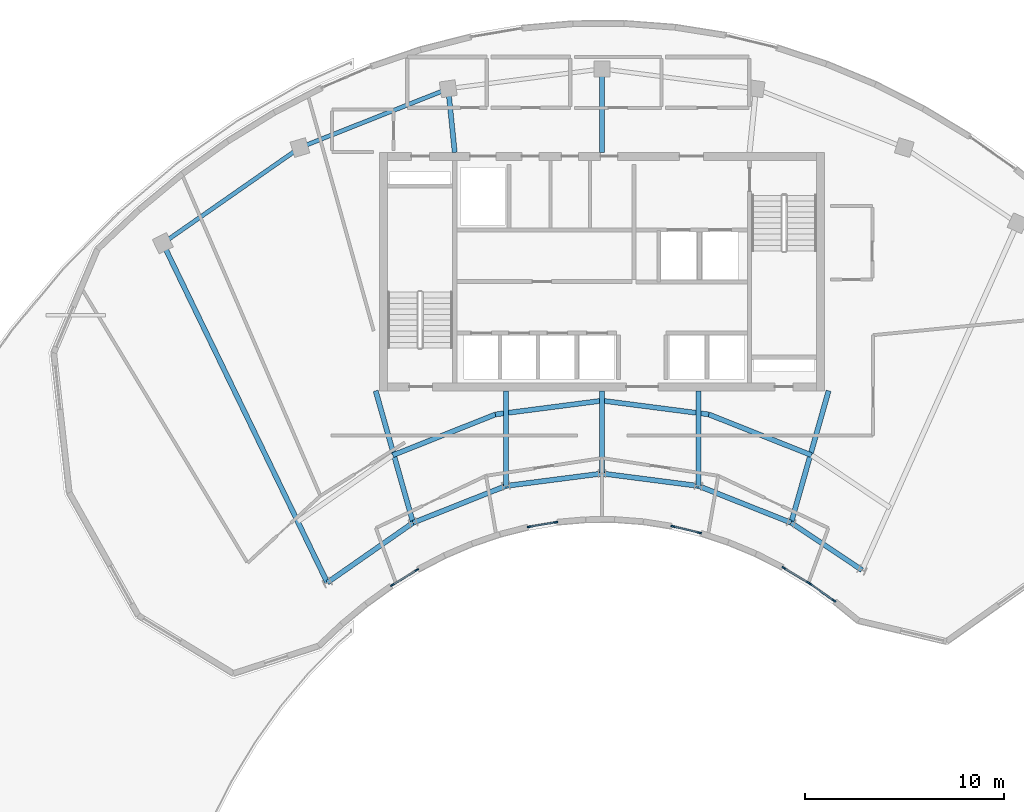
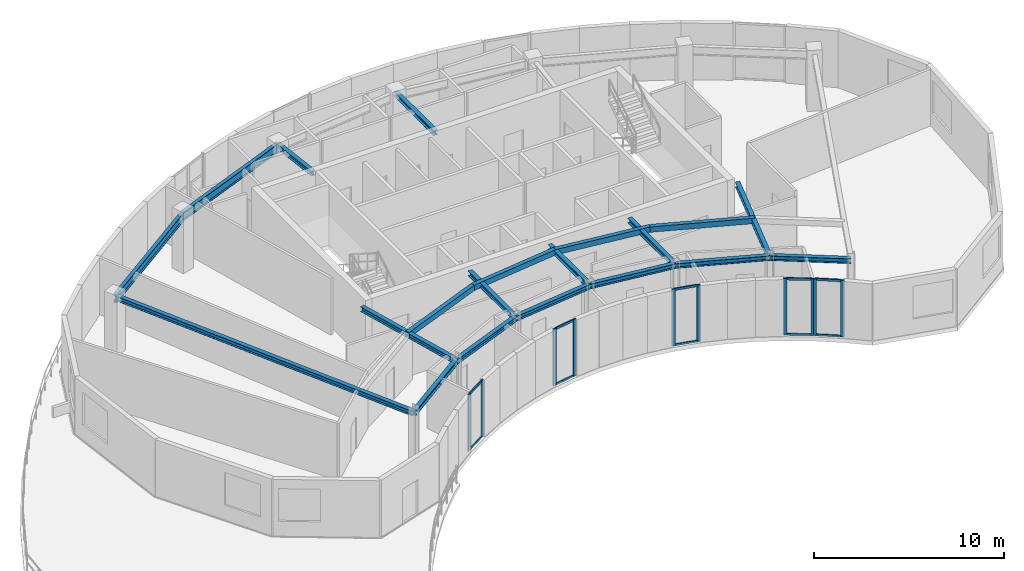
# One storey, part 2 of 11: 20 beams, 20 members, 5 elements without a shape of their own.
"""IFC4 building model written with IfcOpenShell, lengths in metres."""

from ifc_helpers import new_model, si_unit, direction, frame, origin, origin_2d, place, context, subcontext, project, spatial, rectangle, hollow_rectangle, i_section, extrude, source, transform, mapped, material, layer, layer_set, material_profile, profile_set, type_object, element, aggregate, save


model = new_model("IFC4")

# Units and contexts
model_context = context("Model", 3, precision=1e-05, world=origin(), true_north=direction((0.0, 1.0)))
body_context = subcontext(model_context, "Body", "Model", "MODEL_VIEW")
ifc_project = project(units=[si_unit("LENGTHUNIT", "METRE"), si_unit("AREAUNIT", "SQUARE_METRE"), si_unit("VOLUMEUNIT", "CUBIC_METRE"), si_unit("PLANEANGLEUNIT", "RADIAN"), si_unit("MASSUNIT", "GRAM", prefix="KILO")], contexts=[model_context])

# Site, building, storey
site_placement = place(None, origin())
site = spatial("IfcSite", under=ifc_project, at=site_placement, CompositionType="ELEMENT")
building_placement = place(site_placement, origin())
building = spatial("IfcBuilding", under=site, at=building_placement, Name="Breltana Convention Tower", CompositionType="ELEMENT")
storey_placement = place(building_placement, frame((0.0, 0.0, 275.699951171875)))
storey = spatial("IfcBuildingStorey", under=building, at=storey_placement, Name="L67", CompositionType="ELEMENT", Elevation=275.699951171875)

# Beams
ifc_material_1 = material(Name="Steel ASTM A992 Grade 50", Category="steel")
ifc_material_profile_1 = material_profile(ifc_material_1, i_section(OverallWidth=0.214111328125, OverallDepth=0.549072265625, WebThickness=0.0146484375, FlangeThickness=0.023681640625, at=origin_2d()), Name="W21X93")
ifc_profile_set_1 = profile_set([ifc_material_profile_1], Name="Steel ASTM A992 Grade 50")
beam_type_1 = type_object("IfcBeamType", Name="BM-SP-W21X93", PredefinedType="SPANDREL", material=ifc_profile_set_1)
shared_shape_1 = source(origin(), body_context, "Body", "SweptSolid", [
    extrude(i_section(OverallWidth=0.214111328125, OverallDepth=0.549072265625, WebThickness=0.0146484375, FlangeThickness=0.023681640625, at=origin_2d()), origin(), (0.0, 0.0, 1.0), 8.4169921875),
])
beam_1_placement = place(storey_placement, frame((25.8876953125, 67.626953125, 3.365478515625), z_axis=(0.820173800102, 0.572114444519, 0.0), x_axis=(-0.572114444519, 0.820173800102, 0.0)))
element("IfcBeam", 1, at=beam_1_placement, inside=storey, type_object=beam_type_1, Name="L67 Outer Spandrel Beam 03", PredefinedType="SPANDREL", context=body_context, shape_type="MappedRepresentation", body=[
    mapped(shared_shape_1, transform((0.0, 0.0, 0.0), scale=1.0)),
])
shared_shape_2 = source(origin(), body_context, "Body", "SweptSolid", [
    extrude(i_section(OverallWidth=0.214111328125, OverallDepth=0.549072265625, WebThickness=0.0146484375, FlangeThickness=0.023681640625, at=origin_2d()), origin(), (0.0, 0.0, 1.0), 8.028564453125),
])
beam_2_placement = place(storey_placement, frame((32.791015625, 72.4423828125, 3.365478515625), z_axis=(0.929459100394, 0.368925169507, 0.0), x_axis=(-0.368925169507, 0.929459100394, 0.0)))
element("IfcBeam", 2, at=beam_2_placement, inside=storey, type_object=beam_type_1, Name="L67 Outer Spandrel Beam 04", PredefinedType="SPANDREL", context=body_context, shape_type="MappedRepresentation", body=[
    mapped(shared_shape_2, transform((0.0, 0.0, 0.0), scale=1.0)),
])
ifc_material_profile_2 = material_profile(ifc_material_1, i_section(OverallWidth=0.25390625, OverallDepth=0.305908203125, WebThickness=0.0087890625, FlangeThickness=0.0146484375, at=origin_2d()), Name="W12X53")
ifc_profile_set_2 = profile_set([ifc_material_profile_2], Name="Steel ASTM A992 Grade 50")
beam_type_2 = type_object("IfcBeamType", Name="BM-CN-W12X53", PredefinedType="BEAM", material=ifc_profile_set_2)
shared_shape_3 = source(origin(), body_context, "Body", "SweptSolid", [
    extrude(i_section(OverallWidth=0.25390625, OverallDepth=0.305908203125, WebThickness=0.0087890625, FlangeThickness=0.0146484375, at=origin_2d()), origin(), (0.0, 0.0, 1.0), 18.982421875),
])
beam_3_placement = place(storey_placement, frame((34.166259765625, 50.544921875, 3.487060546875), z_axis=(-0.436118560343, 0.89988921614, 0.0), x_axis=(-0.89988921614, -0.436118560343, 0.0)))
element("IfcBeam", 3, at=beam_3_placement, inside=storey, type_object=beam_type_2, Name="L67 Radial Floor Girder R03", PredefinedType="BEAM", context=body_context, shape_type="MappedRepresentation", body=[
    mapped(shared_shape_3, transform((0.0, 0.0, 0.0), scale=1.0)),
])
shared_shape_4 = source(origin(), body_context, "Body", "SweptSolid", [
    extrude(i_section(OverallWidth=0.25390625, OverallDepth=0.305908203125, WebThickness=0.0087890625, FlangeThickness=0.0146484375, at=origin_2d()), origin(), (0.0, 0.0, 1.0), 6.904541015625),
])
for number, where, z_axis, x_axis, name in (
    (4, (36.60009765625, 60.199951171875, 3.487060546875), (0.273006781054, -0.962012108811, 0.0), (0.962012108811, 0.273006781054, 0.0), "L67 South Core Tie Girder R04"),
    (5, (59.39990234375, 60.199951171875, 3.487060546875), (-0.273006781054, -0.962012108811, 0.0), (0.962012108811, -0.273006781054, 0.0), "L67 South Core Tie Girder R08"),
):
    element("IfcBeam", number, at=place(storey_placement, frame(where, z_axis=z_axis, x_axis=x_axis)), inside=storey, type_object=beam_type_2, Name=name, PredefinedType="BEAM", context=body_context, shape_type="MappedRepresentation", body=[
        mapped(shared_shape_4, transform((0.0, 0.0, 0.0), scale=1.0)),
    ])
shared_shape_5 = source(origin(), body_context, "Body", "SweptSolid", [
    extrude(i_section(OverallWidth=0.25390625, OverallDepth=0.305908203125, WebThickness=0.0087890625, FlangeThickness=0.0146484375, at=origin_2d()), origin(), (0.0, 0.0, 1.0), 4.789306640625),
])
for number, where, z_axis, x_axis, name in (
    (6, (43.153564453125, 60.199951171875, 3.487060546875), (0.0, -1.0, 0.0), (1.0, 0.0, 0.0), "L67 South Core Tie Girder R05"),
    (7, (52.846435546875, 60.199951171875, 3.487060546875), (0.0, -1.0, 0.0), (1.0, 0.0, 0.0), "L67 South Core Tie Girder R07"),
):
    element("IfcBeam", number, at=place(storey_placement, frame(where, z_axis=z_axis, x_axis=x_axis)), inside=storey, type_object=beam_type_2, Name=name, PredefinedType="BEAM", context=body_context, shape_type="MappedRepresentation", body=[
        mapped(shared_shape_5, transform((0.0, 0.0, 0.0), scale=1.0)),
    ])
shared_shape_6 = source(origin(), body_context, "Body", "SweptSolid", [
    extrude(i_section(OverallWidth=0.25390625, OverallDepth=0.305908203125, WebThickness=0.0087890625, FlangeThickness=0.0146484375, at=origin_2d()), origin(), (0.0, 0.0, 1.0), 3.220947265625),
])
beam_4_placement = place(storey_placement, frame((40.580078125, 72.199951171875, 3.487060546875), z_axis=(-0.101492254858, 0.994836329355, 0.0), x_axis=(-0.994836329355, -0.101492254858, 0.0)))
element("IfcBeam", 8, at=beam_4_placement, inside=storey, type_object=beam_type_2, Name="L67 North Core Radial Girder R05", PredefinedType="BEAM", context=body_context, shape_type="MappedRepresentation", body=[
    mapped(shared_shape_6, transform((0.0, 0.0, 0.0), scale=1.0)),
])
shared_shape_7 = source(origin(), body_context, "Body", "SweptSolid", [
    extrude(i_section(OverallWidth=0.25390625, OverallDepth=0.305908203125, WebThickness=0.0087890625, FlangeThickness=0.0146484375, at=origin_2d()), origin(), (0.0, 0.0, 1.0), 4.1640625),
])
beam_5_placement = place(storey_placement, frame((48.0, 60.199951171875, 3.487060546875), z_axis=(0.0, -1.0, 0.0), x_axis=(1.0, 0.0, 0.0)))
element("IfcBeam", 9, at=beam_5_placement, inside=storey, type_object=beam_type_2, Name="L67 South Core Tie Girder R06", PredefinedType="BEAM", context=body_context, shape_type="MappedRepresentation", body=[
    mapped(shared_shape_7, transform((0.0, 0.0, 0.0), scale=1.0)),
])
shared_shape_8 = source(origin(), body_context, "Body", "SweptSolid", [
    extrude(i_section(OverallWidth=0.25390625, OverallDepth=0.305908203125, WebThickness=0.0087890625, FlangeThickness=0.0146484375, at=origin_2d()), origin(), (0.0, 0.0, 1.0), 4.2041015625),
])
beam_6_placement = place(storey_placement, frame((48.0, 72.199951171875, 3.487060546875), z_axis=(0.0, 1.0, 0.0), x_axis=(-1.0, 0.0, 0.0)))
element("IfcBeam", 10, at=beam_6_placement, inside=storey, type_object=beam_type_2, Name="L67 North Core Radial Girder R06", PredefinedType="BEAM", context=body_context, shape_type="MappedRepresentation", body=[
    mapped(shared_shape_8, transform((0.0, 0.0, 0.0), scale=1.0)),
])
shared_shape_9 = source(origin(), body_context, "Body", "SweptSolid", [
    extrude(i_section(OverallWidth=0.25390625, OverallDepth=0.305908203125, WebThickness=0.0087890625, FlangeThickness=0.0146484375, at=origin_2d()), origin(), (0.0, 0.0, 1.0), 5.265869140625),
])
beam_7_placement = place(storey_placement, frame((34.166259765625, 50.544921875, 3.487060546875), z_axis=(0.820167429517, 0.572123577176, 0.0), x_axis=(-0.572123577176, 0.820167429517, 0.0)))
element("IfcBeam", 11, at=beam_7_placement, inside=storey, type_object=beam_type_2, Name="L67 Inner Ring Beam 03", PredefinedType="BEAM", context=body_context, shape_type="MappedRepresentation", body=[
    mapped(shared_shape_9, transform((0.0, 0.0, 0.0), scale=1.0)),
])
shared_shape_10 = source(origin(), body_context, "Body", "SweptSolid", [
    extrude(i_section(OverallWidth=0.25390625, OverallDepth=0.305908203125, WebThickness=0.0087890625, FlangeThickness=0.0146484375, at=origin_2d()), origin(), (0.0, 0.0, 1.0), 5.022705078125),
])
for number, where, z_axis, x_axis, name in (
    (12, (38.485107421875, 53.5576171875, 3.487060546875), (0.929458966248, 0.368925507469, 0.0), (-0.368925507469, 0.929458966248, 0.0), "L67 Inner Ring Beam 04"),
    (13, (52.846435546875, 55.41064453125, 3.487060546875), (0.929458966248, -0.368925507469, 0.0), (0.368925507469, 0.929458966248, 0.0), "L67 Inner Ring Beam 07"),
):
    element("IfcBeam", number, at=place(storey_placement, frame(where, z_axis=z_axis, x_axis=x_axis)), inside=storey, type_object=beam_type_2, Name=name, PredefinedType="BEAM", context=body_context, shape_type="MappedRepresentation", body=[
        mapped(shared_shape_10, transform((0.0, 0.0, 0.0), scale=1.0)),
    ])
shared_shape_11 = source(origin(), body_context, "Body", "SweptSolid", [
    extrude(i_section(OverallWidth=0.25390625, OverallDepth=0.305908203125, WebThickness=0.0087890625, FlangeThickness=0.0146484375, at=origin_2d()), origin(), (0.0, 0.0, 1.0), 4.88671875),
])
for number, where, z_axis, x_axis, name in (
    (14, (43.153564453125, 55.41064453125, 3.487060546875), (0.991780525565, 0.127950729231, 0.0), (-0.127950729231, 0.991780525565, 0.0), "L67 Inner Ring Beam 05"),
    (15, (48.0, 56.035888671875, 3.487060546875), (0.991780525565, -0.127950729231, 0.0), (0.127950729231, 0.991780525565, 0.0), "L67 Inner Ring Beam 06"),
):
    element("IfcBeam", number, at=place(storey_placement, frame(where, z_axis=z_axis, x_axis=x_axis)), inside=storey, type_object=beam_type_2, Name=name, PredefinedType="BEAM", context=body_context, shape_type="MappedRepresentation", body=[
        mapped(shared_shape_11, transform((0.0, 0.0, 0.0), scale=1.0)),
    ])
shared_shape_12 = source(origin(), body_context, "Body", "SweptSolid", [
    extrude(i_section(OverallWidth=0.25390625, OverallDepth=0.305908203125, WebThickness=0.0087890625, FlangeThickness=0.0146484375, at=origin_2d()), origin(), (0.0, 0.0, 1.0), 4.2900390625),
])
beam_8_placement = place(storey_placement, frame((57.514892578125, 53.5576171875, 3.487060546875), z_axis=(0.831515827753, -0.555501060482, 0.0), x_axis=(0.555501060482, 0.831515827753, 0.0)))
element("IfcBeam", 16, at=beam_8_placement, inside=storey, type_object=beam_type_2, Name="L67 Inner Ring Beam 08", PredefinedType="BEAM", context=body_context, shape_type="MappedRepresentation", body=[
    mapped(shared_shape_12, transform((0.0, 0.0, 0.0), scale=1.0)),
])
ifc_material_profile_3 = material_profile(ifc_material_1, hollow_rectangle(XDim=0.25, YDim=0.35009765625, WallThickness=0.011962890625, at=origin_2d()), Name="RHS350X250X12")
ifc_profile_set_3 = profile_set([ifc_material_profile_3], Name="Steel ASTM A992 Grade 50")
beam_type_3 = type_object("IfcBeamType", Name="BM-JSG-12", PredefinedType="JOIST", material=ifc_profile_set_3)
shared_shape_13 = source(origin(), body_context, "Body", "SweptSolid", [
    extrude(hollow_rectangle(XDim=0.25, YDim=0.35009765625, WallThickness=0.011962890625, at=origin_2d()), origin(), (0.0, 0.0, 1.0), 5.563720703125),
])
for number, where, z_axis, x_axis, name in (
    (17, (37.460205078125, 56.956787109375, 3.465087890625), (0.929447960386, 0.368953234074, 0.0), (-0.368953234074, 0.929447960386, 0.0), "L67 Composite Floor Joist 04.1"),
    (18, (53.36865234375, 59.009521484375, 3.465087890625), (0.929447960386, -0.368953234074, 0.0), (0.368953234074, 0.929447960386, 0.0), "L67 Composite Floor Joist 07.1"),
):
    element("IfcBeam", number, at=place(storey_placement, frame(where, z_axis=z_axis, x_axis=x_axis)), inside=storey, type_object=beam_type_3, Name=name, PredefinedType="JOIST", context=body_context, shape_type="MappedRepresentation", body=[
        mapped(shared_shape_13, transform((0.0, 0.0, 0.0), scale=1.0)),
    ])
shared_shape_14 = source(origin(), body_context, "Body", "SweptSolid", [
    extrude(hollow_rectangle(XDim=0.25, YDim=0.35009765625, WallThickness=0.011962890625, at=origin_2d()), origin(), (0.0, 0.0, 1.0), 5.4130859375),
])
for number, where, z_axis, x_axis, name in (
    (19, (42.63134765625, 59.009521484375, 3.465087890625), (0.991780266945, 0.127952733848, 0.0), (-0.127952733848, 0.991780266945, 0.0), "L67 Composite Floor Joist 05.1"),
    (20, (48.0, 59.7021484375, 3.465087890625), (0.991780266945, -0.127952733848, 0.0), (0.127952733848, 0.991780266945, 0.0), "L67 Composite Floor Joist 06.1"),
):
    element("IfcBeam", number, at=place(storey_placement, frame(where, z_axis=z_axis, x_axis=x_axis)), inside=storey, type_object=beam_type_3, Name=name, PredefinedType="JOIST", context=body_context, shape_type="MappedRepresentation", body=[
        mapped(shared_shape_14, transform((0.0, 0.0, 0.0), scale=1.0)),
    ])

# Curtain wall, members
ifc_material_2 = material(Name="Aluminium Anodised Bronze Frame", Category="aluminium")
ifc_layer = layer(ifc_material_2, 0.18994140625, Name="Aluminium Anodised Bronze Frame")
ifc_layer_set = layer_set([ifc_layer], Name="Aluminium Anodised Bronze Frame")
curtain_wall_type = type_object("IfcCurtainWallType", Name="CW-SYS-1", PredefinedType="NOTDEFINED", material=ifc_layer_set)
curtain_wall_1_placement = place(storey_placement, origin())
curtain_wall_1 = element("IfcCurtainWall", 21, at=curtain_wall_1_placement, inside=storey, type_object=curtain_wall_type, Name="L67 inner south-court glazing 1", PredefinedType="NOTDEFINED")
ifc_material_3 = material(Name="Aluminium Anodised Bronze", Category="aluminium")
ifc_material_profile_4 = material_profile(ifc_material_3, rectangle(XDim=0.080078125, YDim=0.199951171875, at=origin_2d()), Name="CWM-80X200")
ifc_profile_set_4 = profile_set([ifc_material_profile_4], Name="Aluminium Anodised Bronze")
member_type_1 = type_object("IfcMemberType", Name="CWM-200", PredefinedType="MULLION", material=ifc_profile_set_4)
shared_shape_15 = source(origin(), body_context, "Body", "SweptSolid", [
    extrude(rectangle(XDim=0.080078125, YDim=0.199951171875, at=origin_2d()), origin(), (0.0, 0.0, 1.0), 3.64013671875),
])
member_1_placement = place(storey_placement, frame((59.667724609375, 49.635986328125, 0.0), z_axis=(0.0, 0.0, 1.0), x_axis=(-0.576173895534, -0.817327132857, 0.0)))
member_1 = element("IfcMember", 22, at=member_1_placement, type_object=member_type_1, Name="CW-01 mullion 1", PredefinedType="MULLION", context=body_context, shape_type="MappedRepresentation", body=[
    mapped(shared_shape_15, transform((0.0, 0.0, 0.0), scale=1.0)),
])
member_2_placement = place(storey_placement, frame((58.4599609375, 50.4873046875, 0.0), z_axis=(0.0, 0.0, 1.0), x_axis=(-0.576173895534, -0.817327132857, 0.0)))
member_2 = element("IfcMember", 23, at=member_2_placement, type_object=member_type_1, Name="CW-01 mullion 2", PredefinedType="MULLION", context=body_context, shape_type="MappedRepresentation", body=[
    mapped(shared_shape_15, transform((0.0, 0.0, 0.0), scale=1.0)),
])

curtain_wall_2_placement = place(storey_placement, origin())
curtain_wall_2 = element("IfcCurtainWall", 24, at=curtain_wall_2_placement, inside=storey, type_object=curtain_wall_type, Name="L67 inner south-court glazing 2", PredefinedType="NOTDEFINED")
member_3_placement = place(storey_placement, frame((58.38232421875, 50.5380859375, 0.0), z_axis=(0.0, 0.0, 1.0), x_axis=(-0.516826673654, -0.856090059164, 0.0)))
member_3 = element("IfcMember", 25, at=member_3_placement, type_object=member_type_1, Name="CW-01 mullion 1", PredefinedType="MULLION", context=body_context, shape_type="MappedRepresentation", body=[
    mapped(shared_shape_15, transform((0.0, 0.0, 0.0), scale=1.0)),
])
member_4_placement = place(storey_placement, frame((57.139404296875, 51.288330078125, 0.0), z_axis=(0.0, 0.0, 1.0), x_axis=(-0.516826673654, -0.856090059164, 0.0)))
member_4 = element("IfcMember", 26, at=member_4_placement, type_object=member_type_1, Name="CW-01 mullion 2", PredefinedType="MULLION", context=body_context, shape_type="MappedRepresentation", body=[
    mapped(shared_shape_15, transform((0.0, 0.0, 0.0), scale=1.0)),
])

curtain_wall_3_placement = place(storey_placement, origin())
curtain_wall_3 = element("IfcCurtainWall", 27, at=curtain_wall_3_placement, inside=storey, type_object=curtain_wall_type, Name="L67 inner south-court glazing 3", PredefinedType="NOTDEFINED")
member_5_placement = place(storey_placement, frame((52.89990234375, 53.0517578125, 0.0), z_axis=(0.0, 0.0, 1.0), x_axis=(-0.235517485062, -0.97187011181, 0.0)))
member_5 = element("IfcMember", 28, at=member_5_placement, type_object=member_type_1, Name="CW-01 mullion 1", PredefinedType="MULLION", context=body_context, shape_type="MappedRepresentation", body=[
    mapped(shared_shape_15, transform((0.0, 0.0, 0.0), scale=1.0)),
])
member_6_placement = place(storey_placement, frame((51.562255859375, 53.3759765625, 0.0), z_axis=(0.0, 0.0, 1.0), x_axis=(-0.235517485062, -0.97187011181, 0.0)))
member_6 = element("IfcMember", 29, at=member_6_placement, type_object=member_type_1, Name="CW-01 mullion 2", PredefinedType="MULLION", context=body_context, shape_type="MappedRepresentation", body=[
    mapped(shared_shape_15, transform((0.0, 0.0, 0.0), scale=1.0)),
])

curtain_wall_4_placement = place(storey_placement, origin())
curtain_wall_4 = element("IfcCurtainWall", 30, at=curtain_wall_4_placement, inside=storey, type_object=curtain_wall_type, Name="L67 inner south-court glazing 4", PredefinedType="NOTDEFINED")
member_7_placement = place(storey_placement, frame((45.673095703125, 53.582275390625, 0.0), z_axis=(0.0, 0.0, 1.0), x_axis=(0.168027922521, -0.985782236223, 0.0)))
member_7 = element("IfcMember", 31, at=member_7_placement, type_object=member_type_1, Name="CW-01 mullion 1", PredefinedType="MULLION", context=body_context, shape_type="MappedRepresentation", body=[
    mapped(shared_shape_15, transform((0.0, 0.0, 0.0), scale=1.0)),
])
member_8_placement = place(storey_placement, frame((44.3251953125, 53.3525390625, 0.0), z_axis=(0.0, 0.0, 1.0), x_axis=(0.168027922521, -0.985782236223, 0.0)))
member_8 = element("IfcMember", 32, at=member_8_placement, type_object=member_type_1, Name="CW-01 mullion 2", PredefinedType="MULLION", context=body_context, shape_type="MappedRepresentation", body=[
    mapped(shared_shape_15, transform((0.0, 0.0, 0.0), scale=1.0)),
])

curtain_wall_5_placement = place(storey_placement, origin())
curtain_wall_5 = element("IfcCurtainWall", 33, at=curtain_wall_5_placement, inside=storey, type_object=curtain_wall_type, Name="L67 inner south-court glazing 5", PredefinedType="NOTDEFINED")
member_9_placement = place(storey_placement, frame((38.669677734375, 51.180419921875, 0.0), z_axis=(0.0, 0.0, 1.0), x_axis=(0.525571911271, -0.850749179302, 0.0)))
member_9 = element("IfcMember", 34, at=member_9_placement, type_object=member_type_1, Name="CW-01 mullion 1", PredefinedType="MULLION", context=body_context, shape_type="MappedRepresentation", body=[
    mapped(shared_shape_15, transform((0.0, 0.0, 0.0), scale=1.0)),
])
member_10_placement = place(storey_placement, frame((37.431396484375, 50.41552734375, 0.0), z_axis=(0.0, 0.0, 1.0), x_axis=(0.525571911271, -0.850749179302, 0.0)))
member_10 = element("IfcMember", 35, at=member_10_placement, type_object=member_type_1, Name="CW-01 mullion 2", PredefinedType="MULLION", context=body_context, shape_type="MappedRepresentation", body=[
    mapped(shared_shape_15, transform((0.0, 0.0, 0.0), scale=1.0)),
])

# Member
ifc_material_profile_5 = material_profile(ifc_material_3, rectangle(XDim=0.080078125, YDim=0.139892578125, at=origin_2d()), Name="CWT-80X140")
ifc_profile_set_5 = profile_set([ifc_material_profile_5], Name="Aluminium Anodised Bronze")
member_type_2 = type_object("IfcMemberType", Name="CWT-140", PredefinedType="USERDEFINED", material=ifc_profile_set_5)
shared_shape_16 = source(origin(), body_context, "Body", "SweptSolid", [
    extrude(rectangle(XDim=0.080078125, YDim=0.139892578125, at=origin_2d()), origin(), (0.0, 0.0, 1.0), 1.3974609375),
])
member_11_placement = place(storey_placement, frame((59.635009765625, 49.658935546875, 0.0400390625), z_axis=(-0.817364650956, 0.576120670838, 0.0), x_axis=(-0.576120670838, -0.817364650956, 0.0)))
member_11 = element("IfcMember", 36, at=member_11_placement, type_object=member_type_2, Name="CW-01 transom 1.1", ObjectType="TRANSOM", PredefinedType="USERDEFINED", context=body_context, shape_type="MappedRepresentation", body=[
    mapped(shared_shape_16, transform((0.0, 0.0, 0.0), scale=1.0)),
])

member_12_placement = place(storey_placement, frame((59.635009765625, 49.658935546875, 3.60009765625), z_axis=(-0.817364650956, 0.576120670838, 0.0), x_axis=(-0.576120670838, -0.817364650956, 0.0)))
member_12 = element("IfcMember", 37, at=member_12_placement, type_object=member_type_2, Name="CW-01 transom 1.2", ObjectType="TRANSOM", PredefinedType="USERDEFINED", context=body_context, shape_type="MappedRepresentation", body=[
    mapped(shared_shape_16, transform((0.0, 0.0, 0.0), scale=1.0)),
])

aggregate(curtain_wall_1, [member_1, member_2, member_11, member_12])

shared_shape_17 = source(origin(), body_context, "Body", "SweptSolid", [
    extrude(rectangle(XDim=0.080078125, YDim=0.139892578125, at=origin_2d()), origin(), (0.0, 0.0, 1.0), 1.3720703125),
])
member_13_placement = place(storey_placement, frame((58.34814453125, 50.55859375, 0.0400390625), z_axis=(-0.856123865056, 0.516770672235, 0.0), x_axis=(-0.516770672235, -0.856123865056, 0.0)))
member_13 = element("IfcMember", 38, at=member_13_placement, type_object=member_type_2, Name="CW-01 transom 1.1", ObjectType="TRANSOM", PredefinedType="USERDEFINED", context=body_context, shape_type="MappedRepresentation", body=[
    mapped(shared_shape_17, transform((0.0, 0.0, 0.0), scale=1.0)),
])

member_14_placement = place(storey_placement, frame((58.34814453125, 50.55859375, 3.60009765625), z_axis=(-0.856123865056, 0.516770672235, 0.0), x_axis=(-0.516770672235, -0.856123865056, 0.0)))
member_14 = element("IfcMember", 39, at=member_14_placement, type_object=member_type_2, Name="CW-01 transom 1.2", ObjectType="TRANSOM", PredefinedType="USERDEFINED", context=body_context, shape_type="MappedRepresentation", body=[
    mapped(shared_shape_17, transform((0.0, 0.0, 0.0), scale=1.0)),
])

aggregate(curtain_wall_2, [member_3, member_4, member_13, member_14])

shared_shape_18 = source(origin(), body_context, "Body", "SweptSolid", [
    extrude(rectangle(XDim=0.080078125, YDim=0.139892578125, at=origin_2d()), origin(), (0.0, 0.0, 1.0), 1.296142578125),
])
member_15_placement = place(storey_placement, frame((52.86083984375, 53.06103515625, 0.0400390625), z_axis=(-0.97184618516, 0.235616197216, 0.0), x_axis=(-0.235616197216, -0.97184618516, 0.0)))
member_15 = element("IfcMember", 40, at=member_15_placement, type_object=member_type_2, Name="CW-01 transom 1.1", ObjectType="TRANSOM", PredefinedType="USERDEFINED", context=body_context, shape_type="MappedRepresentation", body=[
    mapped(shared_shape_18, transform((0.0, 0.0, 0.0), scale=1.0)),
])

member_16_placement = place(storey_placement, frame((52.86083984375, 53.06103515625, 3.60009765625), z_axis=(-0.97184618516, 0.235616197216, 0.0), x_axis=(-0.235616197216, -0.97184618516, 0.0)))
member_16 = element("IfcMember", 41, at=member_16_placement, type_object=member_type_2, Name="CW-01 transom 1.2", ObjectType="TRANSOM", PredefinedType="USERDEFINED", context=body_context, shape_type="MappedRepresentation", body=[
    mapped(shared_shape_18, transform((0.0, 0.0, 0.0), scale=1.0)),
])

aggregate(curtain_wall_3, [member_5, member_6, member_15, member_16])

shared_shape_19 = source(origin(), body_context, "Body", "SweptSolid", [
    extrude(rectangle(XDim=0.080078125, YDim=0.139892578125, at=origin_2d()), origin(), (0.0, 0.0, 1.0), 1.287353515625),
])
member_17_placement = place(storey_placement, frame((45.6337890625, 53.57568359375, 0.0400390625), z_axis=(-0.985782429966, -0.16802678587, 0.0), x_axis=(0.16802678587, -0.985782429966, 0.0)))
member_17 = element("IfcMember", 42, at=member_17_placement, type_object=member_type_2, Name="CW-01 transom 1.1", ObjectType="TRANSOM", PredefinedType="USERDEFINED", context=body_context, shape_type="MappedRepresentation", body=[
    mapped(shared_shape_19, transform((0.0, 0.0, 0.0), scale=1.0)),
])

member_18_placement = place(storey_placement, frame((45.6337890625, 53.57568359375, 3.60009765625), z_axis=(-0.985782429966, -0.16802678587, 0.0), x_axis=(0.16802678587, -0.985782429966, 0.0)))
member_18 = element("IfcMember", 43, at=member_18_placement, type_object=member_type_2, Name="CW-01 transom 1.2", ObjectType="TRANSOM", PredefinedType="USERDEFINED", context=body_context, shape_type="MappedRepresentation", body=[
    mapped(shared_shape_19, transform((0.0, 0.0, 0.0), scale=1.0)),
])

aggregate(curtain_wall_4, [member_7, member_8, member_17, member_18])

shared_shape_20 = source(origin(), body_context, "Body", "SweptSolid", [
    extrude(rectangle(XDim=0.080078125, YDim=0.139892578125, at=origin_2d()), origin(), (0.0, 0.0, 1.0), 1.37548828125),
])
member_19_placement = place(storey_placement, frame((38.6357421875, 51.159423828125, 0.0400390625), z_axis=(-0.850748978808, -0.525572235813, 0.0), x_axis=(0.525572235813, -0.850748978808, 0.0)))
member_19 = element("IfcMember", 44, at=member_19_placement, type_object=member_type_2, Name="CW-01 transom 1.1", ObjectType="TRANSOM", PredefinedType="USERDEFINED", context=body_context, shape_type="MappedRepresentation", body=[
    mapped(shared_shape_20, transform((0.0, 0.0, 0.0), scale=1.0)),
])

member_20_placement = place(storey_placement, frame((38.6357421875, 51.159423828125, 3.60009765625), z_axis=(-0.850748978808, -0.525572235813, 0.0), x_axis=(0.525572235813, -0.850748978808, 0.0)))
member_20 = element("IfcMember", 45, at=member_20_placement, type_object=member_type_2, Name="CW-01 transom 1.2", ObjectType="TRANSOM", PredefinedType="USERDEFINED", context=body_context, shape_type="MappedRepresentation", body=[
    mapped(shared_shape_20, transform((0.0, 0.0, 0.0), scale=1.0)),
])

aggregate(curtain_wall_5, [member_9, member_10, member_19, member_20])

save(model, "model.ifc")
